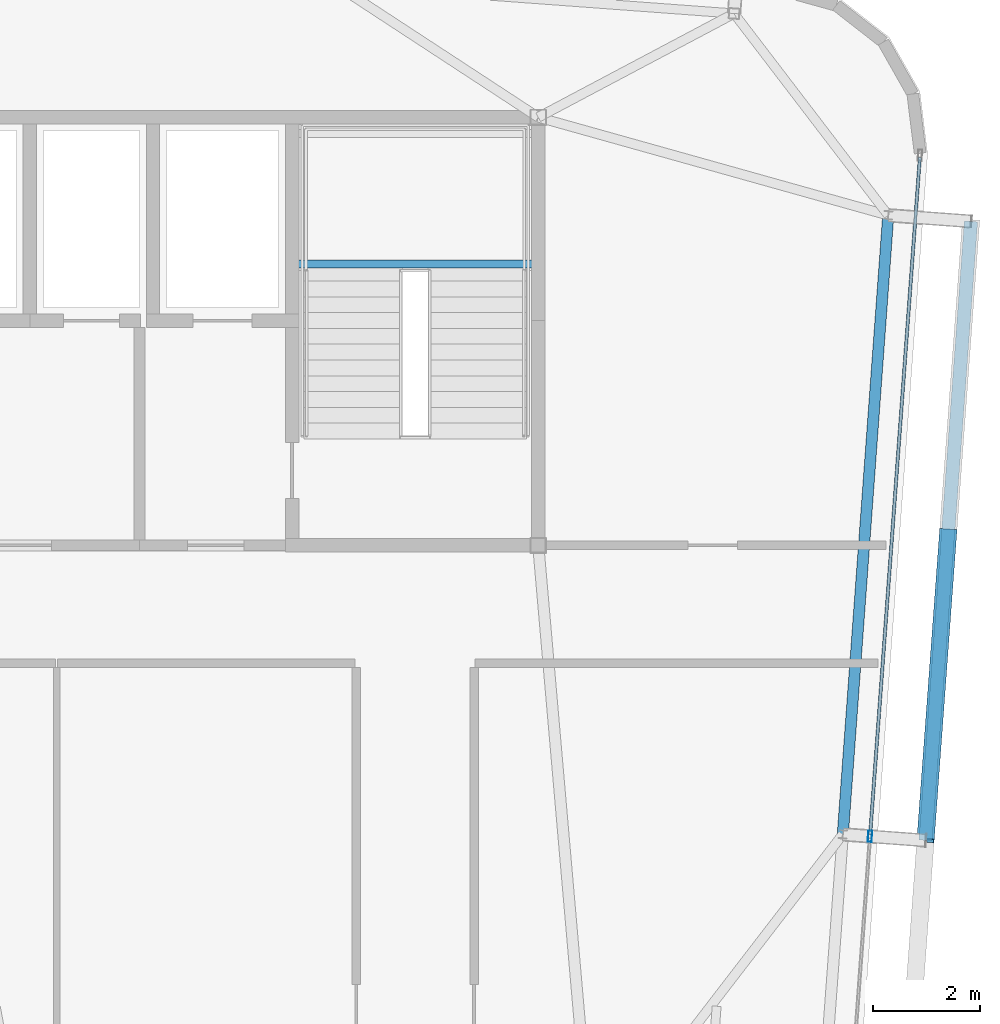
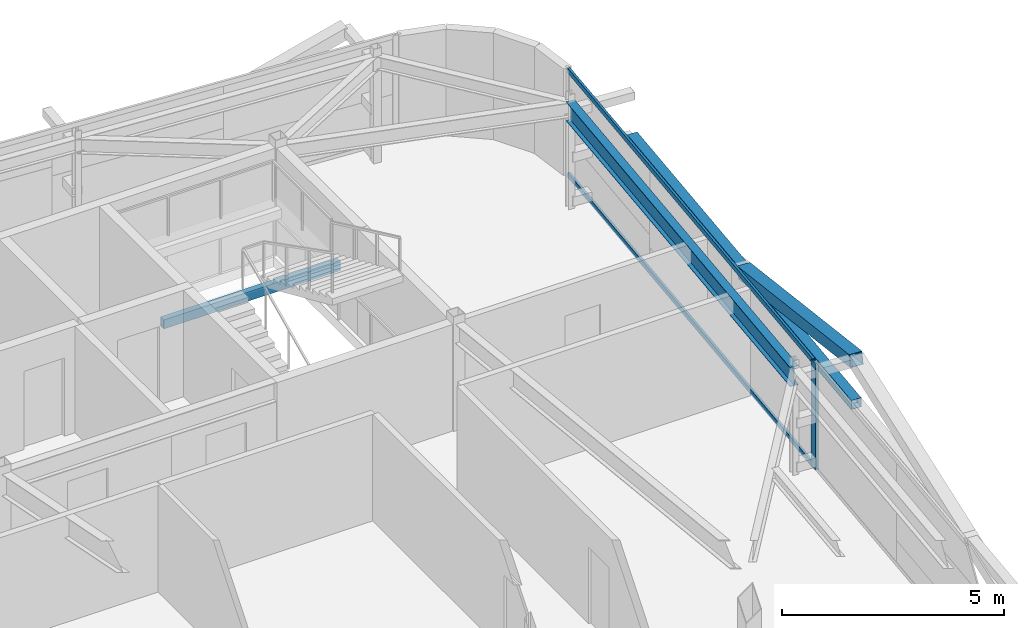
# One storey, part 17 of 35: 5 members, 2 beams, 1 element without a shape of its own.
"""IFC4 building model written with IfcOpenShell, lengths in metres."""

from ifc_helpers import new_model, si_unit, direction, frame, origin, origin_2d, place, context, subcontext, project, spatial, hollow_rectangle, i_section, extrude, source, transform, mapped, material, layer, layer_set, material_profile, profile_set, type_object, element, aggregate, save


model = new_model("IFC4")

# Units and contexts
model_context = context("Model", 3, precision=1e-05, world=origin(), true_north=direction((0.0, 1.0)))
body_context = subcontext(model_context, "Body", "Model", "MODEL_VIEW")
ifc_project = project(units=[si_unit("LENGTHUNIT", "METRE"), si_unit("AREAUNIT", "SQUARE_METRE"), si_unit("VOLUMEUNIT", "CUBIC_METRE"), si_unit("PLANEANGLEUNIT", "RADIAN"), si_unit("MASSUNIT", "GRAM", prefix="KILO")], contexts=[model_context])

# Site, building, storey
site_placement = place(None, origin())
site = spatial("IfcSite", under=ifc_project, at=site_placement, CompositionType="ELEMENT")
building_placement = place(site_placement, origin())
building = spatial("IfcBuilding", under=site, at=building_placement, Name="Taldren Reach Tower", CompositionType="ELEMENT")
storey_placement = place(building_placement, frame((0.0, 0.0, 236.60009765625)))
storey = spatial("IfcBuildingStorey", under=building, at=storey_placement, Name="L72", CompositionType="ELEMENT", Elevation=236.60009765625)

# Beam
ifc_material_1 = material(Name="Steel Gr 350 (350PLUS)", Category="steel")
ifc_material_profile_1 = material_profile(ifc_material_1, i_section(OverallWidth=0.208984375, OverallDepth=0.528076171875, WebThickness=0.009521484375, FlangeThickness=0.01318359375, at=origin_2d()), Name="530UB82.0")
ifc_profile_set_1 = profile_set([ifc_material_profile_1], Name="Steel Gr 350 (350PLUS)")
beam_type_1 = type_object("IfcBeamType", Name="SP-UB530B", PredefinedType="SPANDREL", material=ifc_profile_set_1)
shared_shape_1 = source(origin(), body_context, "Body", "SweptSolid", [
    extrude(i_section(OverallWidth=0.208984375, OverallDepth=0.528076171875, WebThickness=0.009521484375, FlangeThickness=0.01318359375, at=origin_2d()), origin(), (0.0, 0.0, 1.0), 11.60009765625),
])
beam_1_placement = place(storey_placement, frame((56.69140625, 18.599853515625, 2.666015625), z_axis=(0.073221234109, 0.997315722766, 0.0), x_axis=(-0.997315722766, 0.073221234109, 0.0)))
element("IfcBeam", 1, at=beam_1_placement, inside=storey, type_object=beam_type_1, Name="Perimeter spandrel B5 E2-E3 L72", PredefinedType="SPANDREL", context=body_context, shape_type="MappedRepresentation", body=[
    mapped(shared_shape_1, transform((0.0, 0.0, 0.0), scale=1.0)),
])

# Members
ifc_material_2 = material(Name="Steel Gr 450 (C450L0)", Category="steel")
ifc_material_profile_2 = material_profile(ifc_material_2, hollow_rectangle(XDim=0.324951171875, YDim=0.324951171875, WallThickness=0.0126953125, at=origin_2d()), Name="325x325x12.7SHS")
ifc_profile_set_2 = profile_set([ifc_material_profile_2], Name="Steel Gr 450 (C450L0)")
member_type_1 = type_object("IfcMemberType", Name="MB-BR324", PredefinedType="BRACE", material=ifc_profile_set_2)
shared_shape_2 = source(origin(), body_context, "Body", "SweptSolid", [
    extrude(hollow_rectangle(XDim=0.324951171875, YDim=0.324951171875, WallThickness=0.0126953125, at=origin_2d()), origin(), (0.0, 0.0, 1.0), 5.926025390625),
])
member_1_placement = place(storey_placement, frame((58.661865234375, 24.270751953125, 1.434814453125), z_axis=(-0.071685935393, -0.976123486939, 0.205046494513), x_axis=(0.997314185625, -0.073242167855, 0.0)))
element("IfcMember", 2, at=member_1_placement, inside=storey, type_object=member_type_1, Name="Exoskeleton Diagrid Brace B5-E2 L72", PredefinedType="BRACE", context=body_context, shape_type="MappedRepresentation", body=[
    mapped(shared_shape_2, transform((0.0, 0.0, 0.0), scale=1.0)),
])
ifc_material_3 = material(Name="Steel Gr 350 (C350L0)", Category="steel")
ifc_material_profile_3 = material_profile(ifc_material_3, hollow_rectangle(XDim=0.25, YDim=0.25, WallThickness=0.010009765625, at=origin_2d()), Name="250x250x10.0SHS")
ifc_profile_set_3 = profile_set([ifc_material_profile_3], Name="Steel Gr 350 (C350L0)")
member_type_2 = type_object("IfcMemberType", Name="MB-POST250", PredefinedType="POST", material=ifc_profile_set_3)
shared_shape_3 = source(origin(), body_context, "Body", "SweptSolid", [
    extrude(hollow_rectangle(XDim=0.25, YDim=0.25, WallThickness=0.010009765625, at=origin_2d()), origin(), (0.0, 0.0, 1.0), 11.60009765625),
])
member_2_placement = place(storey_placement, frame((58.237060546875, 18.486328125, 1.434814453125), z_axis=(0.073242167855, 0.997314185625, 0.0), x_axis=(-0.997314185625, 0.073242167855, 0.0)))
element("IfcMember", 3, at=member_2_placement, inside=storey, type_object=member_type_2, Name="Exoskeleton mid-height ring chord B5-E2 L72", PredefinedType="POST", context=body_context, shape_type="MappedRepresentation", body=[
    mapped(shared_shape_3, transform((0.0, 0.0, 0.0), scale=1.0)),
])

# Curtain wall, members
ifc_material_4 = material(Name="Aluminium and Low-E Glass Unitised System", Category="aluminium")
ifc_layer = layer(ifc_material_4, 0.159912109375)
ifc_layer_set = layer_set([ifc_layer], Name="Aluminium and Low-E Glass Unitised System")
curtain_wall_type = type_object("IfcCurtainWallType", Name="CW-SYS-6", PredefinedType="NOTDEFINED", material=ifc_layer_set)
curtain_wall_placement = place(storey_placement, origin())
curtain_wall = element("IfcCurtainWall", 4, at=curtain_wall_placement, inside=storey, type_object=curtain_wall_type, Name="Unitised curtain wall CW-L72-E", PredefinedType="NOTDEFINED")
ifc_material_5 = material(Name="Anodised Aluminium 6063-T6", Category="aluminium")
ifc_material_profile_4 = material_profile(ifc_material_5, hollow_rectangle(XDim=0.06005859375, YDim=0.135009765625, WallThickness=0.00341796875, at=origin_2d()), Name="ALU-135x60x3.5RHS")
ifc_profile_set_4 = profile_set([ifc_material_profile_4], Name="Anodised Aluminium 6063-T6")
member_type_3 = type_object("IfcMemberType", Name="CW-TRN-150", PredefinedType="USERDEFINED", material=ifc_profile_set_4)
shared_shape_4 = source(origin(), body_context, "Body", "SweptSolid", [
    extrude(hollow_rectangle(XDim=0.06005859375, YDim=0.135009765625, WallThickness=0.00341796875, at=origin_2d()), origin(), (0.0, 0.0, 1.0), 12.6875),
])
member_3_placement = place(storey_placement, frame((57.20263671875, 18.599853515625, 0.02978515625), z_axis=(0.073237997916, 0.997314491854, 0.0), x_axis=(-0.997314491854, 0.073237997916, 0.0)))
member_3 = element("IfcMember", 5, at=member_3_placement, type_object=member_type_3, Name="CW-6 transom 2.1", ObjectType="TRANSOM", PredefinedType="USERDEFINED", context=body_context, shape_type="MappedRepresentation", body=[
    mapped(shared_shape_4, transform((0.0, 0.0, 0.0), scale=1.0)),
])
member_4_placement = place(storey_placement, frame((57.20263671875, 18.599853515625, 2.89990234375), z_axis=(0.073237997916, 0.997314491854, 0.0), x_axis=(-0.997314491854, 0.073237997916, 0.0)))
member_4 = element("IfcMember", 6, at=member_4_placement, type_object=member_type_3, Name="CW-6 transom 2.2", ObjectType="TRANSOM", PredefinedType="USERDEFINED", context=body_context, shape_type="MappedRepresentation", body=[
    mapped(shared_shape_4, transform((0.0, 0.0, 0.0), scale=1.0)),
])
ifc_material_profile_5 = material_profile(ifc_material_5, hollow_rectangle(XDim=0.074951171875, YDim=0.2099609375, WallThickness=0.00439453125, at=origin_2d()), Name="ALU-210x75x4.5RHS")
ifc_profile_set_5 = profile_set([ifc_material_profile_5], Name="Anodised Aluminium 6063-T6")
member_type_4 = type_object("IfcMemberType", Name="CW-MUL-200", PredefinedType="MULLION", material=ifc_profile_set_5)
shared_shape_5 = source(origin(), body_context, "Body", "SweptSolid", [
    extrude(hollow_rectangle(XDim=0.074951171875, YDim=0.2099609375, WallThickness=0.00439453125, at=origin_2d()), origin(), (0.0, 0.0, 1.0), 2.929931640625),
])
member_5_placement = place(storey_placement, frame((57.199951171875, 18.5625, 0.0), z_axis=(0.0, 0.0, 1.0), x_axis=(-0.997314470951, 0.073238282558, 0.0)))
member_5 = element("IfcMember", 7, at=member_5_placement, type_object=member_type_4, Name="CW-6 mullion 2", PredefinedType="MULLION", context=body_context, shape_type="MappedRepresentation", body=[
    mapped(shared_shape_5, transform((0.0, 0.0, 0.0), scale=1.0)),
])
aggregate(curtain_wall, [member_5, member_3, member_4])

# Beam
ifc_material_profile_6 = material_profile(ifc_material_3, hollow_rectangle(XDim=0.14990234375, YDim=0.25, WallThickness=0.009033203125, at=origin_2d()), Name="250x150x9.0RHS")
ifc_profile_set_6 = profile_set([ifc_material_profile_6], Name="Steel Gr 350 (C350L0)")
beam_type_2 = type_object("IfcBeamType", Name="LN-RHS250", PredefinedType="LINTEL", material=ifc_profile_set_6)
shared_shape_6 = source(origin(), body_context, "Body", "SweptSolid", [
    extrude(hollow_rectangle(XDim=0.14990234375, YDim=0.25, WallThickness=0.009033203125, at=origin_2d()), origin(), (0.0, 0.0, 1.0), 4.60009765625),
])
beam_2_placement = place(storey_placement, frame((46.39990234375, 29.2548828125, 1.27001953125), z_axis=(1.0, 0.0, 0.0), x_axis=(0.0, 1.0, 0.0)))
element("IfcBeam", 8, at=beam_2_placement, inside=storey, type_object=beam_type_2, Name="Stair half-landing support beam ST2-L72-1", PredefinedType="LINTEL", context=body_context, shape_type="MappedRepresentation", body=[
    mapped(shared_shape_6, transform((0.0, 0.0, 0.0), scale=1.0)),
])

save(model, "model.ifc")
